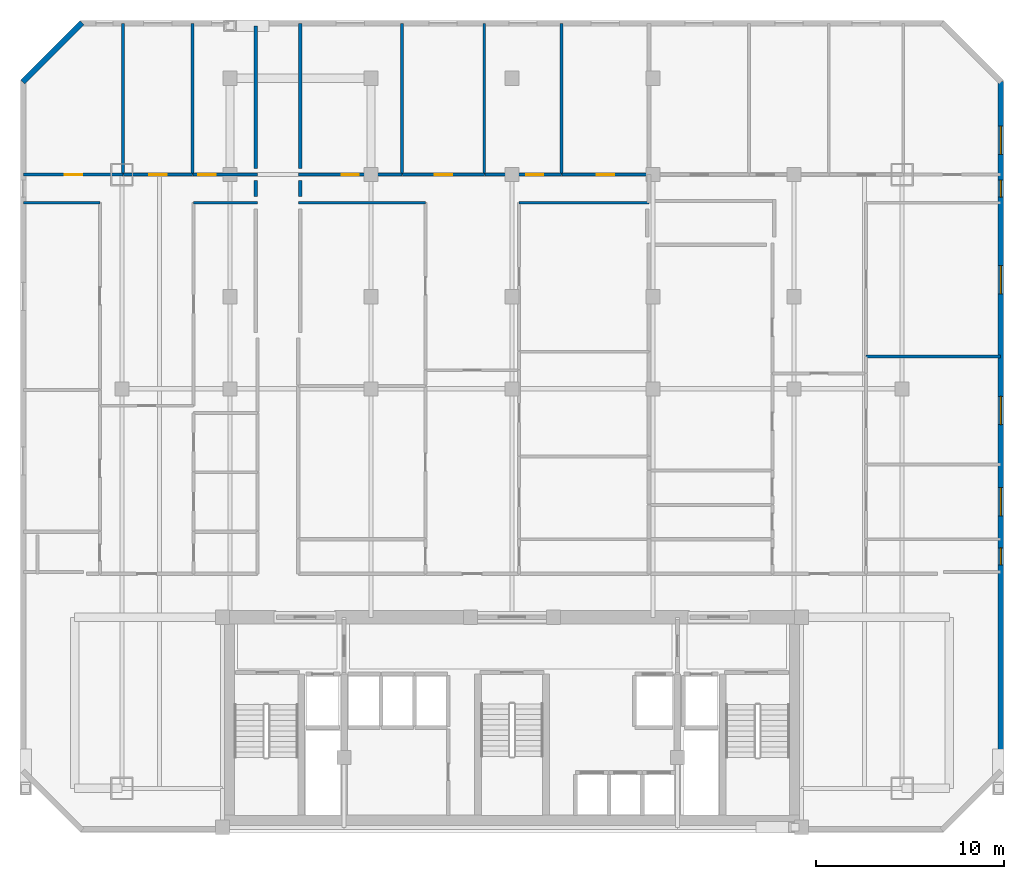
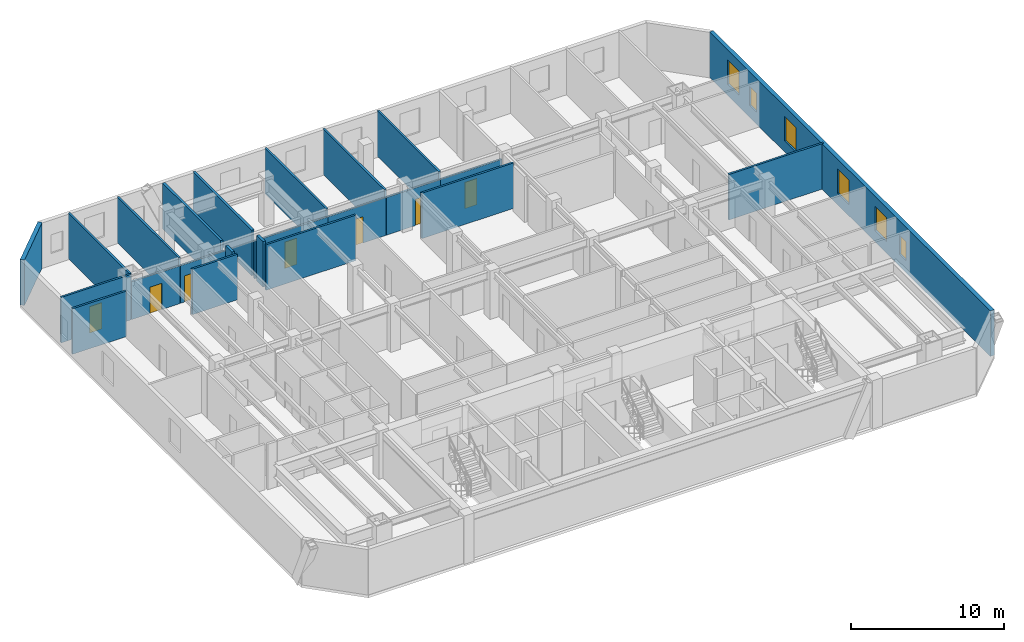
# One storey, part 6 of 9: 23 walls, 7 doors, 6 windows, 13 openings.
"""IFC4 building model written with IfcOpenShell, lengths in metres."""

from ifc_helpers import new_model, si_unit, direction, frame, frame_2d, origin, place, context, subcontext, project, spatial, rectangle, extrude, material, layer, layer_set, type_object, element, fill, save


model = new_model("IFC4")

# Units and contexts
model_context = context("Model", 3, precision=1e-05, world=origin(), true_north=direction((0.0, 1.0)))
body_context = subcontext(model_context, "Body", "Model", "MODEL_VIEW")
ifc_project = project(units=[si_unit("LENGTHUNIT", "METRE"), si_unit("AREAUNIT", "SQUARE_METRE"), si_unit("VOLUMEUNIT", "CUBIC_METRE"), si_unit("PLANEANGLEUNIT", "RADIAN"), si_unit("MASSUNIT", "GRAM", prefix="KILO")], contexts=[model_context])

# Site, building, storey
site_placement = place(None, origin())
site = spatial("IfcSite", under=ifc_project, at=site_placement, CompositionType="ELEMENT")
building_placement = place(site_placement, origin())
building = spatial("IfcBuilding", under=site, at=building_placement, Name="Ventersveld Concourse Tower", CompositionType="ELEMENT")
storey_placement = place(building_placement, frame((0.0, 0.0, 152.89990234375)))
storey = spatial("IfcBuildingStorey", under=building, at=storey_placement, Name="L37", CompositionType="ELEMENT", Elevation=152.89990234375)

# Walls
ifc_material_1 = material(Name="Fire-rated autoclaved aerated masonry blockwork", Category="masonry")
ifc_layer_1 = layer(ifc_material_1, 0.179931640625)
ifc_layer_set_1 = layer_set([ifc_layer_1], Name="Fire-rated autoclaved aerated masonry blockwork")
wall_type_1 = type_object("IfcWallType", Name="WL-CORR-180", PredefinedType="PARTITIONING", material=ifc_layer_set_1)
wall_1_placement = place(storey_placement, frame((15.1201171875, 34.675048828125, 0.0), z_axis=(0.0, 0.0, 1.0), x_axis=(0.0, -1.0, 0.0)))
element("IfcWall", 1, at=wall_1_placement, inside=storey, type_object=wall_type_1, Name="L37 Room Enclosure Wall SP-L37-37NW-LIV", PredefinedType="PARTITIONING", context=body_context, shape_type="SweptSolid", body=[
    extrude(rectangle(XDim=0.85009765625, YDim=0.179931640625, at=frame_2d((0.425048828125, 0.0))), origin(), (0.0, 0.0, 1.0), 3.630126953125),
])
wall_2_placement = place(storey_placement, frame((15.1201171875, 42.902099609375, 0.0), z_axis=(0.0, 0.0, 1.0), x_axis=(0.0, -1.0, 0.0)))
element("IfcWall", 2, at=wall_2_placement, inside=storey, type_object=wall_type_1, Name="L37 Room Enclosure Wall SP-L37-37NW-BR3", PredefinedType="PARTITIONING", context=body_context, shape_type="SweptSolid", body=[
    extrude(rectangle(XDim=7.5771484375, YDim=0.179931640625, at=frame_2d((3.78857421875, 0.0))), origin(), (0.0, 0.0, 1.0), 3.630126953125),
])
wall_3_placement = place(storey_placement, frame((17.47998046875, 33.824951171875, 0.0), z_axis=(0.0, 0.0, 1.0), x_axis=(0.0, 1.0, 0.0)))
element("IfcWall", 3, at=wall_3_placement, inside=storey, type_object=wall_type_1, Name="L37 Room Enclosure Wall SP-L37-37N1-LIV", PredefinedType="PARTITIONING", context=body_context, shape_type="SweptSolid", body=[
    extrude(rectangle(XDim=0.85009765625, YDim=0.179931640625, at=frame_2d((0.425048828125, 0.0))), origin(), (0.0, 0.0, 1.0), 3.630126953125),
])
wall_4_placement = place(storey_placement, frame((17.47998046875, 35.324951171875, 0.0), z_axis=(0.0, 0.0, 1.0), x_axis=(0.0, 1.0, 0.0)))
element("IfcWall", 4, at=wall_4_placement, inside=storey, type_object=wall_type_1, Name="L37 Room Enclosure Wall SP-L37-37N1-BR1", PredefinedType="PARTITIONING", context=body_context, shape_type="SweptSolid", body=[
    extrude(rectangle(XDim=7.70263671875, YDim=0.179931640625, at=frame_2d((3.851318359375, 0.0))), origin(), (0.0, 0.0, 1.0), 3.630126953125),
])
ifc_material_2 = material(Name="Autoclaved aerated masonry blockwork", Category="masonry")
ifc_layer_2 = layer(ifc_material_2, 0.14990234375)
ifc_layer_set_2 = layer_set([ifc_layer_2], Name="Autoclaved aerated masonry blockwork")
wall_type_2 = type_object("IfcWallType", Name="WL-INT-150", PredefinedType="PARTITIONING", material=ifc_layer_set_2)
wall_5_placement = place(storey_placement, frame((2.7724609375, 33.5, 0.0), z_axis=(0.0, 0.0, 1.0), x_axis=(1.0, 0.0, 0.0)))
element("IfcWall", 5, at=wall_5_placement, inside=storey, type_object=wall_type_2, Name="L37 Interior Partition SP-L37-37NW-LIV-SP-L37-37NW-SEML2", PredefinedType="PARTITIONING", context=body_context, shape_type="SweptSolid", body=[
    extrude(rectangle(XDim=4.0625, YDim=0.14990234375, at=frame_2d((2.03125, 0.0))), origin(), (0.0, 0.0, 1.0), 3.630126953125),
])
wall_6_placement = place(storey_placement, frame((11.804931640625, 33.5, 0.0), z_axis=(0.0, 0.0, 1.0), x_axis=(1.0, 0.0, 0.0)))
element("IfcWall", 6, at=wall_6_placement, inside=storey, type_object=wall_type_2, Name="L37 Interior Partition SP-L37-37NW-LIV-SP-L37-37NW-DENR", PredefinedType="PARTITIONING", context=body_context, shape_type="SweptSolid", body=[
    extrude(rectangle(XDim=3.41015625, YDim=0.14990234375, at=frame_2d((1.705078125, 0.0))), origin(), (0.0, 0.0, 1.0), 3.630126953125),
])

# Wall, opening, door
wall_7_placement = place(storey_placement, frame((2.7724609375, 35.0, 0.0), z_axis=(0.0, 0.0, 1.0), x_axis=(1.0, 0.0, 0.0)))
wall_7 = element("IfcWall", 7, at=wall_7_placement, inside=storey, type_object=wall_type_2, Name="L37 Interior Partition SP-L37-37NW-LIV-SP-L37-37NW-BR1", PredefinedType="PARTITIONING", context=body_context, shape_type="SweptSolid", body=[
    extrude(rectangle(XDim=5.291748046875, YDim=0.14990234375, at=frame_2d((2.64599609375, 0.0))), origin(), (0.0, 0.0, 1.0), 3.630126953125),
])
opening_1_placement = place(wall_7_placement, frame((2.185791015625, 0.0, 0.0)))
opening_1 = element("IfcOpeningElement", 8, at=opening_1_placement, cuts=wall_7, Name="Opening ID1", PredefinedType="OPENING", context=body_context, shape_type="SweptSolid", body=[
    extrude(rectangle(XDim=0.919921875, YDim=2.10009765625, at=frame_2d((0.4599609375, 1.050048828125))), frame((0.0, 0.0849609375, 0.0), z_axis=(0.0, -1.0, 0.0), x_axis=(1.0, 0.0, 0.0)), (0.0, 0.0, 1.0), 0.169921875),
])
ifc_material_3 = material(Name="Solid-core hardwood veneer timber", Category="wood")
door_type = type_object("IfcDoorType", Name="DR-ROOM-092", OperationType="NOTDEFINED", PredefinedType="DOOR", material=ifc_material_3)
door_1_placement = place(opening_1_placement, origin())
door_1 = element("IfcDoor", 9, at=door_1_placement, inside=storey, type_object=door_type, Name="L37 Interior Door SP-L37-37NW-LIV to SP-L37-37NW-BR1 (D-L37-1821)", OperationType="SINGLE_SWING_LEFT", OverallHeight=2.10009765625, OverallWidth=0.919921875, PredefinedType="DOOR", context=body_context, shape_type="SweptSolid", body=[
    extrude(rectangle(XDim=0.919921875, YDim=2.10009765625, at=frame_2d((0.4599609375, 1.050048828125))), frame((0.0, 0.02490234375, 0.0), z_axis=(0.0, -1.0, 0.0), x_axis=(1.0, 0.0, 0.0)), (0.0, 0.0, 1.0), 0.050048828125),
])
fill(opening_1, door_1)

wall_8_placement = place(storey_placement, frame((8.09423828125, 35.0, 0.0), z_axis=(0.0, 0.0, 1.0), x_axis=(1.0, 0.0, 0.0)))
wall_8 = element("IfcWall", 10, at=wall_8_placement, inside=storey, type_object=wall_type_2, Name="L37 Interior Partition SP-L37-37NW-LIV-SP-L37-37NW-BR2", PredefinedType="PARTITIONING", context=body_context, shape_type="SweptSolid", body=[
    extrude(rectangle(XDim=3.662353515625, YDim=0.14990234375, at=frame_2d((1.8310546875, 0.0))), origin(), (0.0, 0.0, 1.0), 3.012939453125),
])
opening_2_placement = place(wall_8_placement, frame((1.371337890625, 0.0, 0.0)))
opening_2 = element("IfcOpeningElement", 11, at=opening_2_placement, cuts=wall_8, Name="Opening ID1", PredefinedType="OPENING", context=body_context, shape_type="SweptSolid", body=[
    extrude(rectangle(XDim=0.919921875, YDim=2.10009765625, at=frame_2d((0.4599609375, 1.050048828125))), frame((0.0, 0.0849609375, 0.0), z_axis=(0.0, -1.0, 0.0), x_axis=(1.0, 0.0, 0.0)), (0.0, 0.0, 1.0), 0.169921875),
])
door_2_placement = place(opening_2_placement, origin())
door_2 = element("IfcDoor", 12, at=door_2_placement, inside=storey, type_object=door_type, Name="L37 Interior Door SP-L37-37NW-LIV to SP-L37-37NW-BR2 (D-L37-1822)", OperationType="SINGLE_SWING_RIGHT", OverallHeight=2.10009765625, OverallWidth=0.919921875, PredefinedType="DOOR", context=body_context, shape_type="SweptSolid", body=[
    extrude(rectangle(XDim=0.919921875, YDim=2.10009765625, at=frame_2d((0.4599609375, 1.050048828125))), frame((0.0, 0.02490234375, 0.0), z_axis=(0.0, -1.0, 0.0), x_axis=(1.0, 0.0, 0.0)), (0.0, 0.0, 1.0), 0.050048828125),
])
fill(opening_2, door_2)

wall_9_placement = place(storey_placement, frame((11.78662109375, 35.0, 0.0), z_axis=(0.0, 0.0, 1.0), x_axis=(1.0, 0.0, 0.0)))
wall_9 = element("IfcWall", 13, at=wall_9_placement, inside=storey, type_object=wall_type_2, Name="L37 Interior Partition SP-L37-37NW-LIV-SP-L37-37NW-BR3", PredefinedType="PARTITIONING", context=body_context, shape_type="SweptSolid", body=[
    extrude(rectangle(XDim=3.428466796875, YDim=0.14990234375, at=frame_2d((1.71435546875, 0.0))), origin(), (0.0, 0.0, 1.0), 3.012939453125),
])
opening_3_placement = place(wall_9_placement, frame((0.280029296875, 0.0, 0.0)))
opening_3 = element("IfcOpeningElement", 14, at=opening_3_placement, cuts=wall_9, Name="Opening ID1", PredefinedType="OPENING", context=body_context, shape_type="SweptSolid", body=[
    extrude(rectangle(XDim=0.919921875, YDim=2.10009765625, at=frame_2d((0.4599609375, 1.050048828125))), frame((0.0, 0.0849609375, 0.0), z_axis=(0.0, -1.0, 0.0), x_axis=(1.0, 0.0, 0.0)), (0.0, 0.0, 1.0), 0.169921875),
])
door_3_placement = place(opening_3_placement, origin())
door_3 = element("IfcDoor", 15, at=door_3_placement, inside=storey, type_object=door_type, Name="L37 Interior Door SP-L37-37NW-LIV to SP-L37-37NW-BR3 (D-L37-1823)", OperationType="SINGLE_SWING_LEFT", OverallHeight=2.10009765625, OverallWidth=0.919921875, PredefinedType="DOOR", context=body_context, shape_type="SweptSolid", body=[
    extrude(rectangle(XDim=0.919921875, YDim=2.10009765625, at=frame_2d((0.4599609375, 1.050048828125))), frame((0.0, 0.02490234375, 0.0), z_axis=(0.0, -1.0, 0.0), x_axis=(1.0, 0.0, 0.0)), (0.0, 0.0, 1.0), 0.050048828125),
])
fill(opening_3, door_3)

# Walls
for number, where, z_axis, x_axis, name in (
    (16, (8.05908203125, 34.9951171875, 0.0), (0.0, 0.0, 1.0), (0.0, 1.0, 0.0), "L37 Interior Partition SP-L37-37NW-BR1-SP-L37-37NW-BR2"),
    (17, (11.751708984375, 34.9951171875, 0.0), (0.0, 0.0, 1.0), (0.0, 1.0, 0.0), "L37 Interior Partition SP-L37-37NW-BR2-SP-L37-37NW-BR3"),
):
    element("IfcWall", number, at=place(storey_placement, frame(where, z_axis=z_axis, x_axis=x_axis)), inside=storey, type_object=wall_type_2, Name=name, PredefinedType="PARTITIONING", context=body_context, shape_type="SweptSolid", body=[
        extrude(rectangle(XDim=8.032470703125, YDim=0.14990234375, at=frame_2d((4.01611328125, 0.0))), origin(), (0.0, 0.0, 1.0), 3.630126953125),
    ])
wall_10_placement = place(storey_placement, frame((17.385009765625, 33.5, 0.0), z_axis=(0.0, 0.0, 1.0), x_axis=(1.0, 0.0, 0.0)))
element("IfcWall", 18, at=wall_10_placement, inside=storey, type_object=wall_type_2, Name="L37 Interior Partition SP-L37-37N1-LIV-SP-L37-37N1-SEML2", PredefinedType="PARTITIONING", context=body_context, shape_type="SweptSolid", body=[
    extrude(rectangle(XDim=6.769287109375, YDim=0.14990234375, at=frame_2d((3.384765625, 0.0))), origin(), (0.0, 0.0, 1.0), 3.630126953125),
])
wall_11_placement = place(storey_placement, frame((29.124267578125, 33.5, 0.0), z_axis=(0.0, 0.0, 1.0), x_axis=(1.0, 0.0, 0.0)))
element("IfcWall", 19, at=wall_11_placement, inside=storey, type_object=wall_type_2, Name="L37 Interior Partition SP-L37-37N1-LIV-SP-L37-37N1-DENS2", PredefinedType="PARTITIONING", context=body_context, shape_type="SweptSolid", body=[
    extrude(rectangle(XDim=6.923095703125, YDim=0.14990234375, at=frame_2d((3.46142578125, 0.0))), origin(), (0.0, 0.0, 1.0), 3.630126953125),
])

# Wall, opening, door
wall_12_placement = place(storey_placement, frame((17.385009765625, 35.0, 0.0), z_axis=(0.0, 0.0, 1.0), x_axis=(1.0, 0.0, 0.0)))
wall_12 = element("IfcWall", 20, at=wall_12_placement, inside=storey, type_object=wall_type_2, Name="L37 Interior Partition SP-L37-37N1-LIV-SP-L37-37N1-BR1", PredefinedType="PARTITIONING", context=body_context, shape_type="SweptSolid", body=[
    extrude(rectangle(XDim=5.513671875, YDim=0.14990234375, at=frame_2d((2.7568359375, 0.0))), origin(), (0.0, 0.0, 1.0), 3.012939453125),
])
opening_4_placement = place(wall_12_placement, frame((2.296875, 0.0, 0.0)))
opening_4 = element("IfcOpeningElement", 21, at=opening_4_placement, cuts=wall_12, Name="Opening ID1", PredefinedType="OPENING", context=body_context, shape_type="SweptSolid", body=[
    extrude(rectangle(XDim=0.919921875, YDim=2.10009765625, at=frame_2d((0.4599609375, 1.050048828125))), frame((0.0, 0.0849609375, 0.0), z_axis=(0.0, -1.0, 0.0), x_axis=(1.0, 0.0, 0.0)), (0.0, 0.0, 1.0), 0.169921875),
])
door_4_placement = place(opening_4_placement, origin())
door_4 = element("IfcDoor", 22, at=door_4_placement, inside=storey, type_object=door_type, Name="L37 Interior Door SP-L37-37N1-LIV to SP-L37-37N1-BR1 (D-L37-1832)", OperationType="SINGLE_SWING_RIGHT", OverallHeight=2.10009765625, OverallWidth=0.919921875, PredefinedType="DOOR", context=body_context, shape_type="SweptSolid", body=[
    extrude(rectangle(XDim=0.919921875, YDim=2.10009765625, at=frame_2d((0.4599609375, 1.050048828125))), frame((0.0, 0.02490234375, 0.0), z_axis=(0.0, -1.0, 0.0), x_axis=(1.0, 0.0, 0.0)), (0.0, 0.0, 1.0), 0.050048828125),
])
fill(opening_4, door_4)

wall_13_placement = place(storey_placement, frame((22.9287109375, 35.0, 0.0), z_axis=(0.0, 0.0, 1.0), x_axis=(1.0, 0.0, 0.0)))
wall_13 = element("IfcWall", 23, at=wall_13_placement, inside=storey, type_object=wall_type_2, Name="L37 Interior Partition SP-L37-37N1-LIV-SP-L37-37N1-BR2", PredefinedType="PARTITIONING", context=body_context, shape_type="SweptSolid", body=[
    extrude(rectangle(XDim=4.352783203125, YDim=0.14990234375, at=frame_2d((2.17626953125, 0.0))), origin(), (0.0, 0.0, 1.0), 3.012939453125),
])
opening_5_placement = place(wall_13_placement, frame((1.71630859375, 0.0, 0.0)))
opening_5 = element("IfcOpeningElement", 24, at=opening_5_placement, cuts=wall_13, Name="Opening ID1", PredefinedType="OPENING", context=body_context, shape_type="SweptSolid", body=[
    extrude(rectangle(XDim=0.919921875, YDim=2.10009765625, at=frame_2d((0.4599609375, 1.050048828125))), frame((0.0, 0.0849609375, 0.0), z_axis=(0.0, -1.0, 0.0), x_axis=(1.0, 0.0, 0.0)), (0.0, 0.0, 1.0), 0.169921875),
])
door_5_placement = place(opening_5_placement, origin())
door_5 = element("IfcDoor", 25, at=door_5_placement, inside=storey, type_object=door_type, Name="L37 Interior Door SP-L37-37N1-LIV to SP-L37-37N1-BR2 (D-L37-1833)", OperationType="SINGLE_SWING_LEFT", OverallHeight=2.10009765625, OverallWidth=0.919921875, PredefinedType="DOOR", context=body_context, shape_type="SweptSolid", body=[
    extrude(rectangle(XDim=0.919921875, YDim=2.10009765625, at=frame_2d((0.4599609375, 1.050048828125))), frame((0.0, 0.02490234375, 0.0), z_axis=(0.0, -1.0, 0.0), x_axis=(1.0, 0.0, 0.0)), (0.0, 0.0, 1.0), 0.050048828125),
])
fill(opening_5, door_5)

wall_14_placement = place(storey_placement, frame((27.3115234375, 35.0, 0.0), z_axis=(0.0, 0.0, 1.0), x_axis=(1.0, 0.0, 0.0)))
wall_14 = element("IfcWall", 26, at=wall_14_placement, inside=storey, type_object=wall_type_2, Name="L37 Interior Partition SP-L37-37N1-LIV-SP-L37-37N1-BR3", PredefinedType="PARTITIONING", context=body_context, shape_type="SweptSolid", body=[
    extrude(rectangle(XDim=4.07275390625, YDim=0.14990234375, at=frame_2d((2.036376953125, 0.0))), origin(), (0.0, 0.0, 1.0), 3.012939453125),
])
opening_6_placement = place(wall_14_placement, frame((2.187255859375, 0.0, 0.0)))
opening_6 = element("IfcOpeningElement", 27, at=opening_6_placement, cuts=wall_14, Name="Opening ID1", PredefinedType="OPENING", context=body_context, shape_type="SweptSolid", body=[
    extrude(rectangle(XDim=0.919921875, YDim=2.10009765625, at=frame_2d((0.4599609375, 1.050048828125))), frame((0.0, 0.0849609375, 0.0), z_axis=(0.0, -1.0, 0.0), x_axis=(1.0, 0.0, 0.0)), (0.0, 0.0, 1.0), 0.169921875),
])
door_6_placement = place(opening_6_placement, origin())
door_6 = element("IfcDoor", 28, at=door_6_placement, inside=storey, type_object=door_type, Name="L37 Interior Door SP-L37-37N1-LIV to SP-L37-37N1-BR3 (D-L37-1834)", OperationType="SINGLE_SWING_RIGHT", OverallHeight=2.10009765625, OverallWidth=0.919921875, PredefinedType="DOOR", context=body_context, shape_type="SweptSolid", body=[
    extrude(rectangle(XDim=0.919921875, YDim=2.10009765625, at=frame_2d((0.4599609375, 1.050048828125))), frame((0.0, 0.02490234375, 0.0), z_axis=(0.0, -1.0, 0.0), x_axis=(1.0, 0.0, 0.0)), (0.0, 0.0, 1.0), 0.050048828125),
])
fill(opening_6, door_6)

wall_15_placement = place(storey_placement, frame((31.414306640625, 35.0, 0.0), z_axis=(0.0, 0.0, 1.0), x_axis=(1.0, 0.0, 0.0)))
wall_15 = element("IfcWall", 29, at=wall_15_placement, inside=storey, type_object=wall_type_2, Name="L37 Interior Partition SP-L37-37N1-LIV-SP-L37-37N1-BR4", PredefinedType="PARTITIONING", context=body_context, shape_type="SweptSolid", body=[
    extrude(rectangle(XDim=4.633056640625, YDim=0.14990234375, at=frame_2d((2.31640625, 0.0))), origin(), (0.0, 0.0, 1.0), 3.012939453125),
])
opening_7_placement = place(wall_15_placement, frame((1.8564453125, 0.0, 0.0)))
opening_7 = element("IfcOpeningElement", 30, at=opening_7_placement, cuts=wall_15, Name="Opening ID1", PredefinedType="OPENING", context=body_context, shape_type="SweptSolid", body=[
    extrude(rectangle(XDim=0.919921875, YDim=2.10009765625, at=frame_2d((0.4599609375, 1.050048828125))), frame((0.0, 0.0849609375, 0.0), z_axis=(0.0, -1.0, 0.0), x_axis=(1.0, 0.0, 0.0)), (0.0, 0.0, 1.0), 0.169921875),
])
door_7_placement = place(opening_7_placement, origin())
door_7 = element("IfcDoor", 31, at=door_7_placement, inside=storey, type_object=door_type, Name="L37 Interior Door SP-L37-37N1-LIV to SP-L37-37N1-BR4 (D-L37-1835)", OperationType="SINGLE_SWING_LEFT", OverallHeight=2.10009765625, OverallWidth=0.919921875, PredefinedType="DOOR", context=body_context, shape_type="SweptSolid", body=[
    extrude(rectangle(XDim=0.919921875, YDim=2.10009765625, at=frame_2d((0.4599609375, 1.050048828125))), frame((0.0, 0.02490234375, 0.0), z_axis=(0.0, -1.0, 0.0), x_axis=(1.0, 0.0, 0.0)), (0.0, 0.0, 1.0), 0.050048828125),
])
fill(opening_7, door_7)

# Walls
for number, where, z_axis, x_axis, name in (
    (32, (22.893798828125, 34.9951171875, 0.0), (0.0, 0.0, 1.0), (0.0, 1.0, 0.0), "L37 Interior Partition SP-L37-37N1-BR1-SP-L37-37N1-BR2"),
    (33, (27.276611328125, 34.9951171875, 0.0), (0.0, 0.0, 1.0), (0.0, 1.0, 0.0), "L37 Interior Partition SP-L37-37N1-BR2-SP-L37-37N1-BR3"),
    (34, (31.37939453125, 34.9951171875, 0.0), (0.0, 0.0, 1.0), (0.0, 1.0, 0.0), "L37 Interior Partition SP-L37-37N1-BR3-SP-L37-37N1-BR4"),
):
    element("IfcWall", number, at=place(storey_placement, frame(where, z_axis=z_axis, x_axis=x_axis)), inside=storey, type_object=wall_type_2, Name=name, PredefinedType="PARTITIONING", context=body_context, shape_type="SweptSolid", body=[
        extrude(rectangle(XDim=8.032470703125, YDim=0.14990234375, at=frame_2d((4.01611328125, 0.0))), origin(), (0.0, 0.0, 1.0), 3.630126953125),
    ])
wall_16_placement = place(storey_placement, frame((47.578369140625, 25.313720703125, 0.0), z_axis=(0.0, 0.0, 1.0), x_axis=(1.0, 0.0, 0.0)))
element("IfcWall", 35, at=wall_16_placement, inside=storey, type_object=wall_type_2, Name="L37 Interior Partition SP-L37-37N2-DENS-SP-L37-37N2-DENS2", PredefinedType="PARTITIONING", context=body_context, shape_type="SweptSolid", body=[
    extrude(rectangle(XDim=7.149169921875, YDim=0.14990234375, at=frame_2d((3.57470703125, 0.0))), origin(), (0.0, 0.0, 1.0), 3.630126953125),
])

# Wall, openings, windows
ifc_material_4 = material(Name="Precast concrete C45/55", Category="concrete")
ifc_layer_3 = layer(ifc_material_4, 0.300048828125)
ifc_layer_set_3 = layer_set([ifc_layer_3], Name="Precast concrete C45/55")
wall_type_3 = type_object("IfcWallType", Name="WL-PREC-300", PredefinedType="SOLIDWALL", material=ifc_layer_set_3)
wall_17_placement = place(storey_placement, frame((54.75, 3.239990234375, 0.0), z_axis=(0.0, 0.0, 1.0), x_axis=(0.0, 1.0, 0.0)))
wall_17 = element("IfcWall", 36, at=wall_17_placement, inside=storey, type_object=wall_type_3, Name="L37 Highveld Precast Facade Wall E03", PredefinedType="SOLIDWALL", context=body_context, shape_type="SweptSolid", body=[
    extrude(rectangle(XDim=36.719970703125, YDim=0.300048828125, at=frame_2d((18.35986328125, 0.0))), origin(), (0.0, 0.0, 1.0), 3.630126953125),
])
opening_8_placement = place(wall_17_placement, frame((30.56005859375, 0.0, 0.949951171875)))
opening_8 = element("IfcOpeningElement", 37, at=opening_8_placement, cuts=wall_17, Name="Opening W4", PredefinedType="OPENING", context=body_context, shape_type="SweptSolid", body=[
    extrude(rectangle(XDim=0.89990234375, YDim=1.5, at=frame_2d((0.449951171875, 0.75))), frame((0.0, 0.16015625, 0.0), z_axis=(0.0, -1.0, 0.0), x_axis=(1.0, 0.0, 0.0)), (0.0, 0.0, 1.0), 0.320068359375),
])
opening_9_placement = place(wall_17_placement, frame((10.9951171875, 0.0, 0.949951171875)))
opening_9 = element("IfcOpeningElement", 38, at=opening_9_placement, cuts=wall_17, Name="Opening W4", PredefinedType="OPENING", context=body_context, shape_type="SweptSolid", body=[
    extrude(rectangle(XDim=0.89990234375, YDim=1.5, at=frame_2d((0.449951171875, 0.75))), frame((0.0, 0.16015625, 0.0), z_axis=(0.0, -1.0, 0.0), x_axis=(1.0, 0.0, 0.0)), (0.0, 0.0, 1.0), 0.320068359375),
])
opening_10_placement = place(wall_17_placement, frame((13.60107421875, 0.0, 0.89990234375)))
opening_10 = element("IfcOpeningElement", 39, at=opening_10_placement, cuts=wall_17, Name="Opening W1", PredefinedType="OPENING", context=body_context, shape_type="SweptSolid", body=[
    extrude(rectangle(XDim=1.5, YDim=1.949951171875, at=frame_2d((0.75, 0.97509765625))), frame((0.0, 0.16015625, 0.0), z_axis=(0.0, -1.0, 0.0), x_axis=(1.0, 0.0, 0.0)), (0.0, 0.0, 1.0), 0.320068359375),
])
opening_11_placement = place(wall_17_placement, frame((18.457763671875, 0.0, 0.89990234375)))
opening_11 = element("IfcOpeningElement", 40, at=opening_11_placement, cuts=wall_17, Name="Opening W1", PredefinedType="OPENING", context=body_context, shape_type="SweptSolid", body=[
    extrude(rectangle(XDim=1.5, YDim=1.949951171875, at=frame_2d((0.75, 0.97509765625))), frame((0.0, 0.16015625, 0.0), z_axis=(0.0, -1.0, 0.0), x_axis=(1.0, 0.0, 0.0)), (0.0, 0.0, 1.0), 0.320068359375),
])
opening_12_placement = place(wall_17_placement, frame((25.416748046875, 0.0, 0.89990234375)))
opening_12 = element("IfcOpeningElement", 41, at=opening_12_placement, cuts=wall_17, Name="Opening W1", PredefinedType="OPENING", context=body_context, shape_type="SweptSolid", body=[
    extrude(rectangle(XDim=1.5, YDim=1.949951171875, at=frame_2d((0.75, 0.97509765625))), frame((0.0, 0.16015625, 0.0), z_axis=(0.0, -1.0, 0.0), x_axis=(1.0, 0.0, 0.0)), (0.0, 0.0, 1.0), 0.320068359375),
])
opening_13_placement = place(wall_17_placement, frame((32.833740234375, 0.0, 0.89990234375)))
opening_13 = element("IfcOpeningElement", 42, at=opening_13_placement, cuts=wall_17, Name="Opening W1", PredefinedType="OPENING", context=body_context, shape_type="SweptSolid", body=[
    extrude(rectangle(XDim=1.5, YDim=1.949951171875, at=frame_2d((0.75, 0.97509765625))), frame((0.0, 0.16015625, 0.0), z_axis=(0.0, -1.0, 0.0), x_axis=(1.0, 0.0, 0.0)), (0.0, 0.0, 1.0), 0.320068359375),
])
ifc_material_5 = material(Name="Tempered acoustic Low-E IGU", Category="glass")
window_type_1 = type_object("IfcWindowType", Name="WIN-090x150", PartitioningType="SINGLE_PANEL", PredefinedType="WINDOW", material=ifc_material_5)
window_1_placement = place(opening_8_placement, origin())
window_1 = element("IfcWindow", 43, at=window_1_placement, inside=storey, type_object=window_type_1, Name="L37 Punched Low-E Window W-0493", OverallHeight=1.5, OverallWidth=0.89990234375, PartitioningType="SINGLE_PANEL", PredefinedType="WINDOW", context=body_context, shape_type="SweptSolid", body=[
    extrude(rectangle(XDim=0.89990234375, YDim=1.5, at=frame_2d((0.449951171875, 0.75))), frame((0.0, 0.030029296875, 0.0), z_axis=(0.0, -1.0, 0.0), x_axis=(1.0, 0.0, 0.0)), (0.0, 0.0, 1.0), 0.06005859375),
])
fill(opening_8, window_1)
window_2_placement = place(opening_9_placement, origin())
window_2 = element("IfcWindow", 44, at=window_2_placement, inside=storey, type_object=window_type_1, Name="L37 Punched Low-E Window W-0494", OverallHeight=1.5, OverallWidth=0.89990234375, PartitioningType="SINGLE_PANEL", PredefinedType="WINDOW", context=body_context, shape_type="SweptSolid", body=[
    extrude(rectangle(XDim=0.89990234375, YDim=1.5, at=frame_2d((0.449951171875, 0.75))), frame((0.0, 0.030029296875, 0.0), z_axis=(0.0, -1.0, 0.0), x_axis=(1.0, 0.0, 0.0)), (0.0, 0.0, 1.0), 0.06005859375),
])
fill(opening_9, window_2)
window_type_2 = type_object("IfcWindowType", Name="WIN-150x210", PartitioningType="SINGLE_PANEL", PredefinedType="WINDOW", material=ifc_material_5)
window_3_placement = place(opening_10_placement, origin())
window_3 = element("IfcWindow", 45, at=window_3_placement, inside=storey, type_object=window_type_2, Name="L37 Punched Low-E Window W-0495", OverallHeight=1.949951171875, OverallWidth=1.5, PartitioningType="SINGLE_PANEL", PredefinedType="WINDOW", context=body_context, shape_type="SweptSolid", body=[
    extrude(rectangle(XDim=1.5, YDim=1.949951171875, at=frame_2d((0.75, 0.97509765625))), frame((0.0, 0.030029296875, 0.0), z_axis=(0.0, -1.0, 0.0), x_axis=(1.0, 0.0, 0.0)), (0.0, 0.0, 1.0), 0.06005859375),
])
fill(opening_10, window_3)
window_4_placement = place(opening_11_placement, origin())
window_4 = element("IfcWindow", 46, at=window_4_placement, inside=storey, type_object=window_type_2, Name="L37 Punched Low-E Window W-0496", OverallHeight=1.949951171875, OverallWidth=1.5, PartitioningType="SINGLE_PANEL", PredefinedType="WINDOW", context=body_context, shape_type="SweptSolid", body=[
    extrude(rectangle(XDim=1.5, YDim=1.949951171875, at=frame_2d((0.75, 0.97509765625))), frame((0.0, 0.030029296875, 0.0), z_axis=(0.0, -1.0, 0.0), x_axis=(1.0, 0.0, 0.0)), (0.0, 0.0, 1.0), 0.06005859375),
])
fill(opening_11, window_4)
window_5_placement = place(opening_12_placement, origin())
window_5 = element("IfcWindow", 47, at=window_5_placement, inside=storey, type_object=window_type_2, Name="L37 Punched Low-E Window W-0497", OverallHeight=1.949951171875, OverallWidth=1.5, PartitioningType="SINGLE_PANEL", PredefinedType="WINDOW", context=body_context, shape_type="SweptSolid", body=[
    extrude(rectangle(XDim=1.5, YDim=1.949951171875, at=frame_2d((0.75, 0.97509765625))), frame((0.0, 0.030029296875, 0.0), z_axis=(0.0, -1.0, 0.0), x_axis=(1.0, 0.0, 0.0)), (0.0, 0.0, 1.0), 0.06005859375),
])
fill(opening_12, window_5)
window_6_placement = place(opening_13_placement, origin())
window_6 = element("IfcWindow", 48, at=window_6_placement, inside=storey, type_object=window_type_2, Name="L37 Punched Low-E Window W-0501", OverallHeight=1.949951171875, OverallWidth=1.5, PartitioningType="SINGLE_PANEL", PredefinedType="WINDOW", context=body_context, shape_type="SweptSolid", body=[
    extrude(rectangle(XDim=1.5, YDim=1.949951171875, at=frame_2d((0.75, 0.97509765625))), frame((0.0, 0.030029296875, 0.0), z_axis=(0.0, -1.0, 0.0), x_axis=(1.0, 0.0, 0.0)), (0.0, 0.0, 1.0), 0.06005859375),
])
fill(opening_13, window_6)

# Wall
wall_18_placement = place(storey_placement, frame((5.877685546875, 43.065673828125, 0.0), z_axis=(0.0, 0.0, 1.0), x_axis=(-0.707079321262, -0.707134240044, 0.0)))
element("IfcWall", 49, at=wall_18_placement, inside=storey, type_object=wall_type_3, Name="L37 Highveld Precast Facade Wall E06", PredefinedType="SOLIDWALL", context=body_context, shape_type="SweptSolid", body=[
    extrude(rectangle(XDim=4.445556640625, YDim=0.300048828125, at=frame_2d((2.22265625, 0.0))), origin(), (0.0, 0.0, 1.0), 3.630126953125),
])

save(model, "model.ifc")
